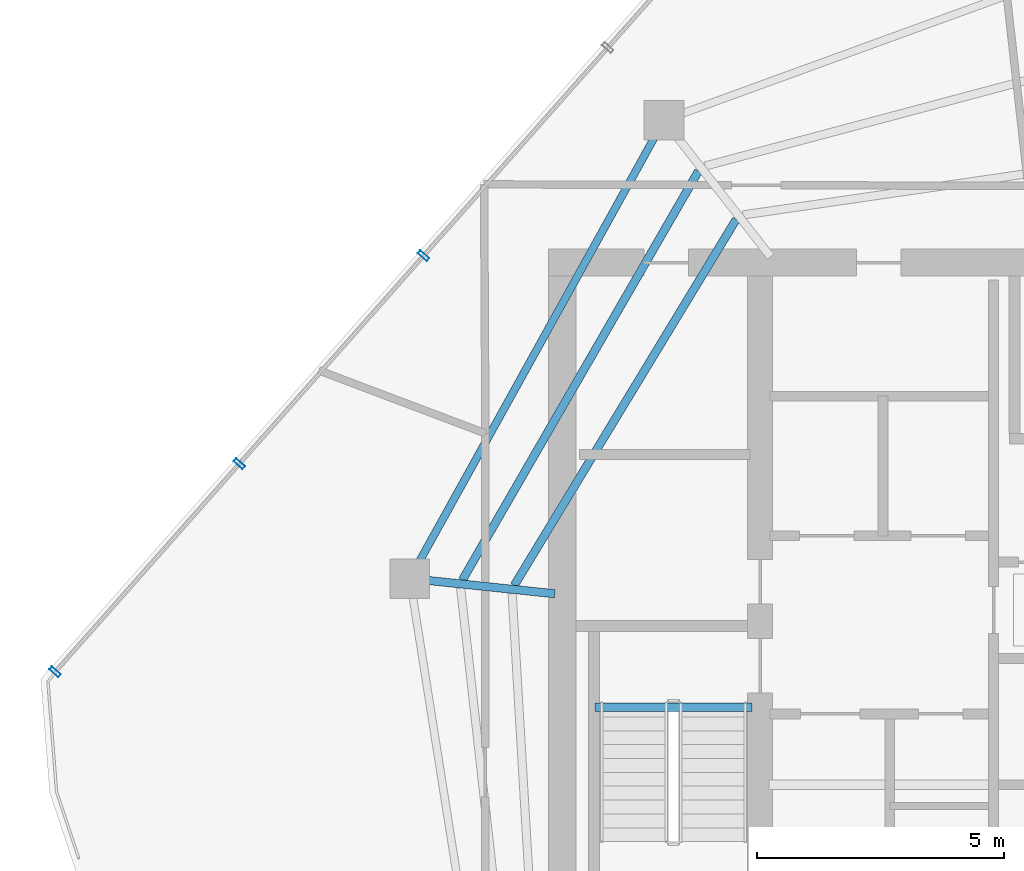
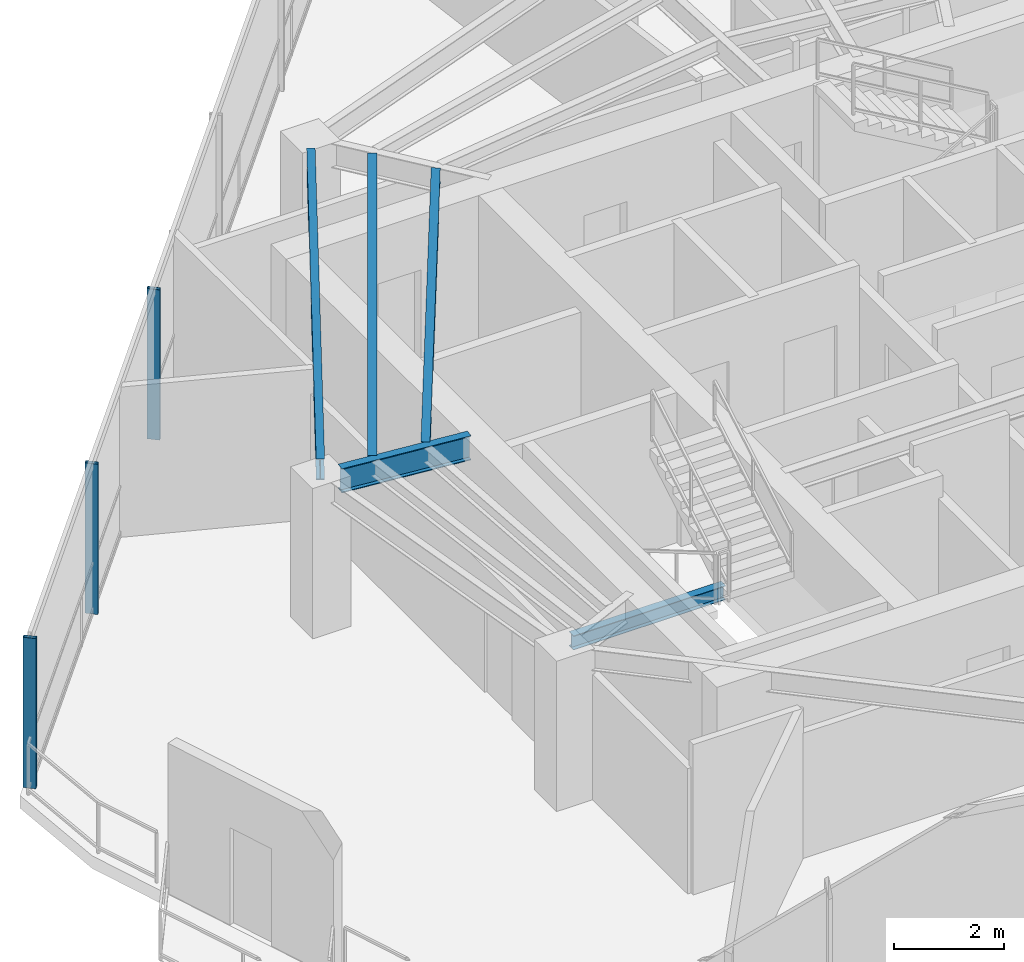
# One storey, part 6 of 18: 5 beams, 3 members, 1 element without a shape of its own.
"""IFC4 building model written with IfcOpenShell, lengths in metres."""

import ifcopenshell
import ifcopenshell.guid

model = None  # the IFC model being written
_history = None  # IfcOwnerHistory: only IFC2X3 demands one
_inside = {}  # id of a spatial element -> (the spatial element, [elements in it])
_under = {}  # id of a project, library or spatial element -> (it, [spatial elements below it])
_declared = {}  # id of a project -> (the project, [libraries it declares])
_typed = {}  # id of a type object -> (the type object, [elements of that type])
_made_of = {}  # id of a material, layer set ... -> (it, [elements and type objects made of it])


def new_model(schema):
    """Start an empty IFC model of exactly this schema.

    Asked for "IFC4X3", IfcOpenShell would pick the latest addendum, in which some entities
    have other attributes; the version numbers below select the first issue.
    IFC2X3 requires an IfcOwnerHistory on every rooted entity: one is made here for all.
    """
    global model, _history
    if schema == "IFC4X3":
        model = ifcopenshell.file(schema_version=(4, 3, 0, 0))
    else:
        model = ifcopenshell.file(schema=schema)
    _inside.clear()
    _under.clear()
    _declared.clear()
    _typed.clear()
    _made_of.clear()
    _history = None
    if model.schema == "IFC2X3":
        org = make("IfcOrganization", Name="unknown")
        user = make(
            "IfcPersonAndOrganization",
            ThePerson=make("IfcPerson", FamilyName="unknown"),
            TheOrganization=org,
        )
        app = make(
            "IfcApplication",
            ApplicationDeveloper=org,
            Version="unknown",
            ApplicationFullName="unknown",
            ApplicationIdentifier="unknown",
        )
        _history = make(
            "IfcOwnerHistory",
            OwningUser=user,
            OwningApplication=app,
            ChangeAction="ADDED",
            CreationDate=0,
        )
    return model


def make(cls, **values):
    """One entity of the class cls with the attributes given. An attribute that is None is left unset."""
    return model.create_entity(
        cls, **{name: value for name, value in values.items() if value is not None}
    )


def rooted(cls, **values):
    """An entity with a GlobalId (a new one), such as an element, a storey or a relation."""
    return make(cls, GlobalId=ifcopenshell.guid.new(), OwnerHistory=_history, **values)


def si_unit(unit_type, name, prefix=None):
    """IfcSIUnit, for example si_unit("LENGTHUNIT", "METRE", prefix="MILLI")."""
    return make("IfcSIUnit", UnitType=unit_type, Prefix=prefix, Name=name)


def assignment(units):
    """IfcUnitAssignment: the units of a project."""
    return None if units is None else make("IfcUnitAssignment", Units=units)


def point(xyz):
    """IfcCartesianPoint."""
    return None if xyz is None else make("IfcCartesianPoint", Coordinates=xyz)


def direction(xyz):
    """IfcDirection."""
    return None if xyz is None else make("IfcDirection", DirectionRatios=xyz)


def frame(location, z_axis=None, x_axis=None):
    """IfcAxis2Placement3D, a coordinate frame: its origin and axes. An axis left out is left unset."""
    return make(
        "IfcAxis2Placement3D",
        Location=point(location),
        Axis=direction(z_axis),
        RefDirection=direction(x_axis),
    )


def frame_2d(location, x_axis=None):
    """IfcAxis2Placement2D, a coordinate frame in the plane: its origin and x axis."""
    return make(
        "IfcAxis2Placement2D", Location=point(location), RefDirection=direction(x_axis)
    )


def origin():
    """The frame at (0, 0, 0) with its axes left unset."""
    return frame((0.0, 0.0, 0.0))


def origin_2d():
    """The frame at (0, 0) in the plane with its x axis left unset."""
    return frame_2d((0.0, 0.0))


def place(relative_to, where):
    """IfcLocalPlacement: puts the frame where relative to a parent placement (None: the world)."""
    return make(
        "IfcLocalPlacement", PlacementRelTo=relative_to, RelativePlacement=where
    )


def context(
    kind, dimensions, precision=None, world=None, true_north=None, identifier=None
):
    """IfcGeometricRepresentationContext, for example the 3D "Model" context."""
    return make(
        "IfcGeometricRepresentationContext",
        ContextIdentifier=identifier,
        ContextType=kind,
        CoordinateSpaceDimension=dimensions,
        Precision=precision,
        WorldCoordinateSystem=world,
        TrueNorth=true_north,
    )


def subcontext(parent, identifier, kind, view, scale=None):
    """IfcGeometricRepresentationSubContext, for example "Body" below "Model"."""
    return make(
        "IfcGeometricRepresentationSubContext",
        ContextIdentifier=identifier,
        ContextType=kind,
        ParentContext=parent,
        TargetScale=scale,
        TargetView=view,
    )


def project(units=None, contexts=None):
    """IfcProject with its units and contexts."""
    return rooted(
        "IfcProject",
        Name="project",
        RepresentationContexts=contexts,
        UnitsInContext=assignment(units),
    )


def spatial(cls, under=None, at=None, **own):
    """A site, building, storey or space (cls), placed at a placement, below another one or the project."""
    s = rooted(cls, ObjectPlacement=at, **own)
    if under is not None:
        _under.setdefault(under.id(), (under, []))[1].append(s)
    return s


def profile(cls, at=None, kind="AREA", **sizes):
    """A parametric profile (cls). Its sizes go by their IFC names, for example OverallWidth=200.0."""
    return make(cls, ProfileType=kind, Position=at, **sizes)


def hollow_rectangle(**sizes):
    """IfcRectangleHollowProfileDef."""
    return profile("IfcRectangleHollowProfileDef", **sizes)


def i_section(**sizes):
    """IfcIShapeProfileDef."""
    return profile("IfcIShapeProfileDef", **sizes)


def extrude(swept, where, along, depth):
    """IfcExtrudedAreaSolid: the profile swept, set in the frame where, extruded along a direction by depth."""
    return make(
        "IfcExtrudedAreaSolid",
        SweptArea=swept,
        Position=where,
        ExtrudedDirection=direction(along),
        Depth=depth,
    )


def shape(context_of_items, identifier, shape_type, items):
    """IfcShapeRepresentation: the items that make up one representation, for example the "Body"."""
    return make(
        "IfcShapeRepresentation",
        ContextOfItems=context_of_items,
        RepresentationIdentifier=identifier,
        RepresentationType=shape_type,
        Items=items,
    )


def material(Name=None, Category=None):
    """IfcMaterial."""
    return make("IfcMaterial", Name=Name, Category=Category)


def layer(
    of_material, thickness, ventilated=None, Name=None, Category=None, Priority=None
):
    """IfcMaterialLayer: one layer of a wall or slab, of a material (None: an air gap)."""
    return make(
        "IfcMaterialLayer",
        Material=of_material,
        LayerThickness=thickness,
        IsVentilated=ventilated,
        Name=Name,
        Category=Category,
        Priority=Priority,
    )


def layer_set(layers, Name=None):
    """IfcMaterialLayerSet."""
    return make("IfcMaterialLayerSet", MaterialLayers=layers, LayerSetName=Name)


def material_profile(
    of_material, cross_section, Name=None, Category=None, Priority=None
):
    """IfcMaterialProfile: a cross section and its material."""
    return make(
        "IfcMaterialProfile",
        Name=Name,
        Material=of_material,
        Profile=cross_section,
        Priority=Priority,
        Category=Category,
    )


def profile_set(profiles, Name=None, composite=None):
    """IfcMaterialProfileSet."""
    return make(
        "IfcMaterialProfileSet",
        Name=Name,
        MaterialProfiles=profiles,
        CompositeProfile=composite,
    )


def made_of(thing, what):
    """Note that an element or type object is made of a material, layer set ...; save() writes the relation."""
    if what is not None:
        _made_of.setdefault(what.id(), (what, []))[1].append(thing)
    return thing


def type_object(cls, material=None, **own):
    """A type object (cls), such as IfcWallType, which elements share."""
    return made_of(rooted(cls, **own), material)


def element(
    cls,
    number,
    at=None,
    inside=None,
    cuts=None,
    type_object=None,
    material=None,
    context=None,
    identifier="Body",
    shape_type=None,
    held_by="IfcProductDefinitionShape",
    body=None,
    shapes=None,
    **own,
):
    """One element of the class cls, such as IfcWall. Its Tag is "e" and its number.

    at: its placement. inside: the storey or other place that contains it. cuts: it is an
    opening in that element (IfcRelVoidsElement). A single representation is given by context,
    identifier, shape_type and body (its items); several are given by shapes. held_by: the class
    of the entity that holds the representations. save() writes the other relations.
    """
    e = rooted(cls, Tag="e%d" % number, ObjectPlacement=at, **own)
    if body is not None:
        shapes = [shape(context, identifier, shape_type, body)]
    if shapes is not None:
        e.Representation = make(held_by, Representations=shapes)
    if inside is not None:
        _inside.setdefault(inside.id(), (inside, []))[1].append(e)
    if cuts is not None:
        rooted(
            "IfcRelVoidsElement", RelatingBuildingElement=cuts, RelatedOpeningElement=e
        )
    if type_object is not None:
        _typed.setdefault(type_object.id(), (type_object, []))[1].append(e)
    return made_of(e, material)


def aggregate(whole, parts):
    """IfcRelAggregates: a whole, such as a stair, and the parts it consists of."""
    return rooted("IfcRelAggregates", RelatingObject=whole, RelatedObjects=parts)


def save(model, path):
    """Write the relations noted so far, then the file.

    IfcRelAggregates (storeys below a building ...), IfcRelContainedInSpatialStructure (elements
    in a storey), IfcRelDefinesByType, IfcRelAssociatesMaterial and IfcRelDeclares: one each for
    every whole, place, type object, material and project.
    """
    for whole, parts in _under.values():
        aggregate(whole, parts)
    for where, things in _inside.values():
        rooted(
            "IfcRelContainedInSpatialStructure",
            RelatedElements=things,
            RelatingStructure=where,
        )
    for kind, things in _typed.values():
        rooted("IfcRelDefinesByType", RelatedObjects=things, RelatingType=kind)
    for what, things in _made_of.values():
        rooted("IfcRelAssociatesMaterial", RelatedObjects=things, RelatingMaterial=what)
    for by, libraries in _declared.values():
        rooted("IfcRelDeclares", RelatingContext=by, RelatedDefinitions=libraries)
    model.write(path)


model = new_model("IFC4")

# Units and contexts
model_context = context("Model", 3, precision=1e-05, world=origin(), true_north=direction((0.0, 1.0)))
body_context = subcontext(model_context, "Body", "Model", "MODEL_VIEW")
ifc_project = project(units=[si_unit("LENGTHUNIT", "METRE"), si_unit("AREAUNIT", "SQUARE_METRE"), si_unit("VOLUMEUNIT", "CUBIC_METRE"), si_unit("PLANEANGLEUNIT", "RADIAN"), si_unit("MASSUNIT", "GRAM", prefix="KILO")], contexts=[model_context])

# Site, building, storey
site_placement = place(None, origin())
site = spatial("IfcSite", under=ifc_project, at=site_placement, CompositionType="ELEMENT")
building_placement = place(site_placement, origin())
building = spatial("IfcBuilding", under=site, at=building_placement, Name="Qarnah Convention Tower", CompositionType="ELEMENT")
storey_placement = place(building_placement, frame((0.0, 0.0, 249.89990234375)))
storey = spatial("IfcBuildingStorey", under=building, at=storey_placement, Name="L67", CompositionType="ELEMENT", Elevation=249.89990234375)

# Beams
ifc_material_1 = material(Name="Structural steel S355JR", Category="steel")
ifc_material_profile_1 = material_profile(ifc_material_1, i_section(OverallWidth=0.166015625, OverallDepth=0.31201171875, WebThickness=0.007080078125, FlangeThickness=0.010986328125, at=origin_2d()), Name="W310X45")
ifc_profile_set_1 = profile_set([ifc_material_profile_1], Name="Structural steel S355JR")
beam_type_1 = type_object("IfcBeamType", Name="BM-JST-W310", PredefinedType="JOIST", material=ifc_profile_set_1)
beam_1_placement = place(storey_placement, frame((27.4599609375, 25.217041015625, -0.156005859375), z_axis=(1.0, 0.0, 0.0), x_axis=(0.0, 1.0, 0.0)))
element("IfcBeam", 1, at=beam_1_placement, inside=storey, type_object=beam_type_1, Name="L67 stair landing trimmer beam BM-L67-ST1-TRM", PredefinedType="BEAM", context=body_context, shape_type="SweptSolid", body=[
    extrude(i_section(OverallWidth=0.166015625, OverallDepth=0.31201171875, WebThickness=0.007080078125, FlangeThickness=0.010986328125, at=origin_2d()), origin(), (0.0, 0.0, 1.0), 3.179931640625),
])
beam_2_placement = place(storey_placement, frame((29.554931640625, 36.050048828125, 3.1640625), z_axis=(-0.500030323517, -0.866007895786, 0.0), x_axis=(0.866007895786, -0.500030323517, 0.0)))
element("IfcBeam", 2, at=beam_2_placement, inside=storey, type_object=beam_type_1, Name="L67 joist BM-L67-SJST-04", PredefinedType="JOIST", context=body_context, shape_type="SweptSolid", body=[
    extrude(i_section(OverallWidth=0.166015625, OverallDepth=0.31201171875, WebThickness=0.007080078125, FlangeThickness=0.010986328125, at=origin_2d()), origin(), (0.0, 0.0, 1.0), 9.54150390625),
])
beam_3_placement = place(storey_placement, frame((30.31689453125, 35.072998046875, 3.1640625), z_axis=(-0.518508134219, -0.855072695593, 0.0), x_axis=(0.855072695593, -0.518508134219, 0.0)))
element("IfcBeam", 3, at=beam_3_placement, inside=storey, type_object=beam_type_1, Name="L67 joist BM-L67-IJST-04", PredefinedType="JOIST", context=body_context, shape_type="SweptSolid", body=[
    extrude(i_section(OverallWidth=0.166015625, OverallDepth=0.31201171875, WebThickness=0.007080078125, FlangeThickness=0.010986328125, at=origin_2d()), origin(), (0.0, 0.0, 1.0), 8.649658203125),
])
ifc_material_profile_2 = material_profile(ifc_material_1, i_section(OverallWidth=0.166015625, OverallDepth=0.535888671875, WebThickness=0.010009765625, FlangeThickness=0.01708984375, at=origin_2d()), Name="W530X85")
ifc_profile_set_2 = profile_set([ifc_material_profile_2], Name="Structural steel S355JR")
beam_type_2 = type_object("IfcBeamType", Name="BM-RAD-W530B", PredefinedType="BEAM", material=ifc_profile_set_2)
beam_4_placement = place(storey_placement, frame((26.65087890625, 27.509033203125, 3.052001953125), z_axis=(-0.994564280912, 0.104124402207, 0.0), x_axis=(-0.104124402207, -0.994564280912, 0.0)))
element("IfcBeam", 4, at=beam_4_placement, inside=storey, type_object=beam_type_2, Name="L67 beam BM-L67-RAD-05", PredefinedType="BEAM", context=body_context, shape_type="SweptSolid", body=[
    extrude(i_section(OverallWidth=0.166015625, OverallDepth=0.535888671875, WebThickness=0.010009765625, FlangeThickness=0.01708984375, at=origin_2d()), origin(), (0.0, 0.0, 1.0), 2.562744140625),
])
ifc_material_profile_3 = material_profile(ifc_material_1, i_section(OverallWidth=0.154052734375, OverallDepth=0.4599609375, WebThickness=0.009033203125, FlangeThickness=0.014892578125, at=origin_2d()), Name="W460X68")
ifc_profile_set_3 = profile_set([ifc_material_profile_3], Name="Structural steel S355JR")
beam_type_3 = type_object("IfcBeamType", Name="BM-SPN-W460B", PredefinedType="SPANDREL", material=ifc_profile_set_3)
beam_5_placement = place(storey_placement, frame((28.6689453125, 36.737060546875, 3.090087890625), z_axis=(-0.48479748752, -0.87462643231, 0.0), x_axis=(0.87462643231, -0.48479748752, 0.0)))
element("IfcBeam", 5, at=beam_5_placement, inside=storey, type_object=beam_type_3, Name="L67 spandrel BM-L67-SPN-04", PredefinedType="SPANDREL", context=body_context, shape_type="SweptSolid", body=[
    extrude(i_section(OverallWidth=0.154052734375, OverallDepth=0.4599609375, WebThickness=0.009033203125, FlangeThickness=0.014892578125, at=origin_2d()), origin(), (0.0, 0.0, 1.0), 9.81005859375),
])

# Curtain wall, members
ifc_material_2 = material(Name="Tempered Low-E dark glass", Category="glass")
ifc_layer = layer(ifc_material_2, 0.176025390625)
ifc_layer_set = layer_set([ifc_layer], Name="Tempered Low-E dark glass")
curtain_wall_type = type_object("IfcCurtainWallType", Name="CWS-05", PredefinedType="NOTDEFINED", material=ifc_layer_set)
curtain_wall_placement = place(storey_placement, origin())
curtain_wall = element("IfcCurtainWall", 6, at=curtain_wall_placement, inside=storey, type_object=curtain_wall_type, Name="L67 unitised curtain wall CW-L67-F2", PredefinedType="NOTDEFINED")
ifc_material_3 = material(Name="Black anodised aluminium", Category="aluminium")
ifc_material_profile_4 = material_profile(ifc_material_3, hollow_rectangle(XDim=0.080078125, YDim=0.239990234375, WallThickness=0.0048828125, at=origin_2d()), Name="MUL-80X240")
ifc_profile_set_4 = profile_set([ifc_material_profile_4], Name="Black anodised aluminium")
member_type = type_object("IfcMemberType", Name="MUL-T5", PredefinedType="MULLION", material=ifc_profile_set_4)
member_1_placement = place(storey_placement, frame((16.553955078125, 25.929931640625, 0.0), z_axis=(0.0, 0.0, 1.0), x_axis=(0.662883533537, 0.748722526017, 0.0)))
member_1 = element("IfcMember", 7, at=member_1_placement, type_object=member_type, Name="CW-L67-F2 mullion 1", PredefinedType="MULLION", context=body_context, shape_type="SweptSolid", body=[
    extrude(hollow_rectangle(XDim=0.080078125, YDim=0.239990234375, WallThickness=0.0048828125, at=origin_2d()), origin(), (0.0, 0.0, 1.0), 3.320068359375),
])
member_2_placement = place(storey_placement, frame((20.276123046875, 30.13427734375, 0.0), z_axis=(0.0, 0.0, 1.0), x_axis=(0.662883533537, 0.748722526017, 0.0)))
member_2 = element("IfcMember", 8, at=member_2_placement, type_object=member_type, Name="CW-L67-F2 mullion 2", PredefinedType="MULLION", context=body_context, shape_type="SweptSolid", body=[
    extrude(hollow_rectangle(XDim=0.080078125, YDim=0.239990234375, WallThickness=0.0048828125, at=origin_2d()), origin(), (0.0, 0.0, 1.0), 3.320068359375),
])
member_3_placement = place(storey_placement, frame((23.998291015625, 34.33837890625, 0.0), z_axis=(0.0, 0.0, 1.0), x_axis=(0.662883533537, 0.748722526017, 0.0)))
member_3 = element("IfcMember", 9, at=member_3_placement, type_object=member_type, Name="CW-L67-F2 mullion 3", PredefinedType="MULLION", context=body_context, shape_type="SweptSolid", body=[
    extrude(hollow_rectangle(XDim=0.080078125, YDim=0.239990234375, WallThickness=0.0048828125, at=origin_2d()), origin(), (0.0, 0.0, 1.0), 3.320068359375),
])
aggregate(curtain_wall, [member_1, member_2, member_3])

save(model, "model.ifc")
